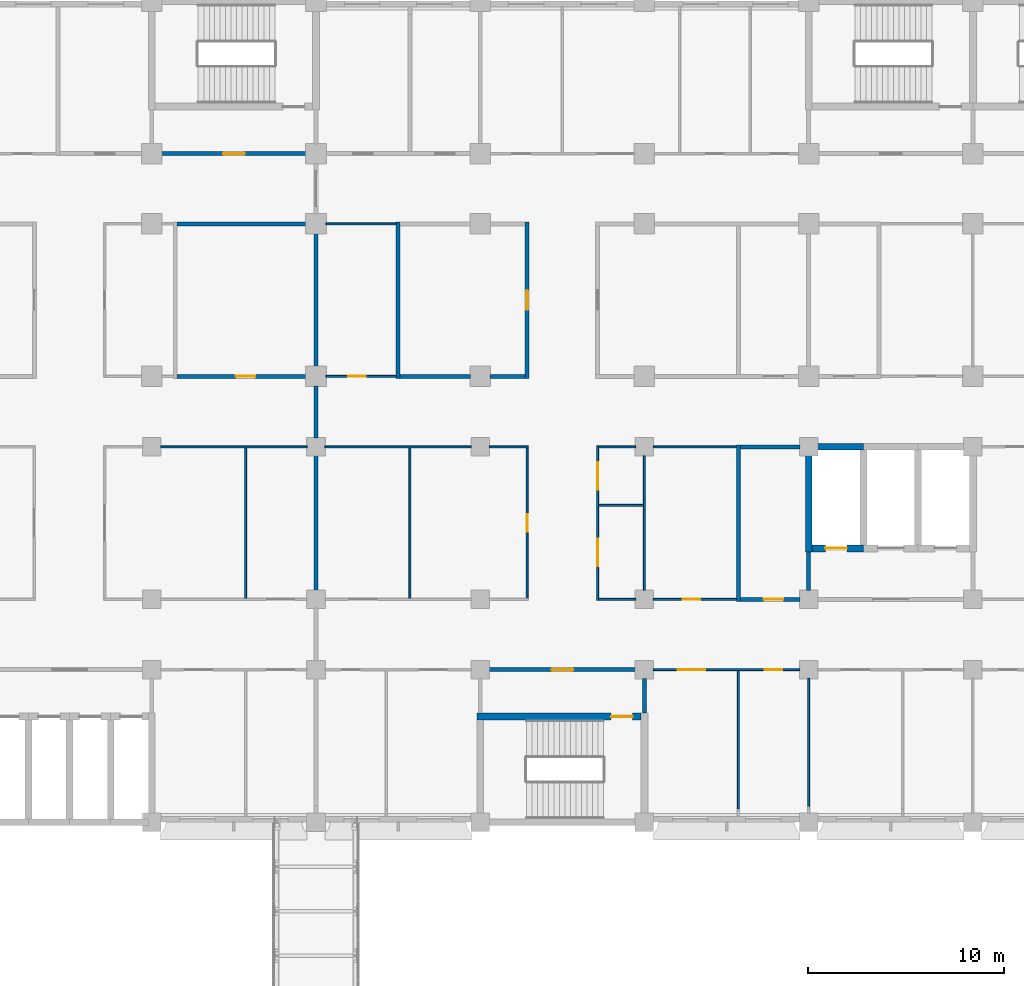
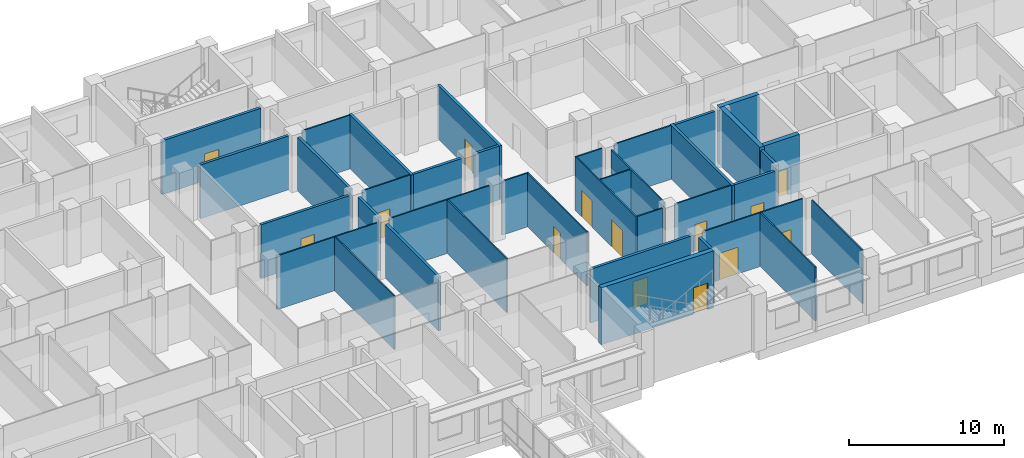
# One storey, part 74 of 136: 38 walls, 14 doors, 14 openings.
"""IFC4 building model written with IfcOpenShell, lengths in metres."""

from ifc_helpers import new_model, si_unit, direction, frame, frame_2d, origin, place, context, subcontext, project, spatial, rectangle, extrude, material, layer, layer_set, type_object, element, fill, save


model = new_model("IFC4")

# Units and contexts
model_context = context("Model", 3, precision=1e-05, world=origin(), true_north=direction((0.0, 1.0)))
body_context = subcontext(model_context, "Body", "Model", "MODEL_VIEW")
ifc_project = project(units=[si_unit("LENGTHUNIT", "METRE"), si_unit("AREAUNIT", "SQUARE_METRE"), si_unit("VOLUMEUNIT", "CUBIC_METRE"), si_unit("PLANEANGLEUNIT", "RADIAN"), si_unit("MASSUNIT", "GRAM", prefix="KILO")], contexts=[model_context])

# Site, building, storey
site_placement = place(None, origin())
site = spatial("IfcSite", under=ifc_project, at=site_placement, CompositionType="ELEMENT")
building_placement = place(site_placement, origin())
building = spatial("IfcBuilding", under=site, at=building_placement, Name="Bougainvillea Quay General Hospital", CompositionType="ELEMENT")
storey_placement = place(building_placement, frame((0.0, 0.0, 5.39990234375)))
storey = spatial("IfcBuildingStorey", under=building, at=storey_placement, Name="L01", CompositionType="ELEMENT", Elevation=5.39990234375)

# Wall, openings, doors
ifc_material_1 = material(Name="Gypsum board partition on steel studs", Category="steel")
ifc_layer_1 = layer(ifc_material_1, 0.10009765625)
ifc_layer_set_1 = layer_set([ifc_layer_1], Name="Gypsum board partition on steel studs")
wall_type_1 = type_object("IfcWallType", Name="Partition 100 Gypsum board partition", PredefinedType="PARTITIONING", material=ifc_layer_set_1)
wall_1_placement = place(storey_placement, frame((133.949951171875, 125.39990234375, 0.0), z_axis=(0.0, 0.0, 1.0), x_axis=(-1.0, 0.0, 0.0)))
wall_1 = element("IfcWall", 1, at=wall_1_placement, inside=storey, type_object=wall_type_1, Name="Partition 100 mm", PredefinedType="PARTITIONING", context=body_context, shape_type="SweptSolid", body=[
    extrude(rectangle(XDim=7.5, YDim=0.10009765625, at=frame_2d((3.75, 0.0))), origin(), (0.0, 0.0, 1.0), 4.25),
])
opening_1_placement = place(wall_1_placement, frame((4.85009765625, 0.0, 0.0)))
opening_1 = element("IfcOpeningElement", 2, at=opening_1_placement, cuts=wall_1, Name="Opening L01.157", PredefinedType="OPENING", context=body_context, shape_type="SweptSolid", body=[
    extrude(rectangle(XDim=1.39990234375, YDim=2.10009765625, at=frame_2d((0.699951171875, 1.050048828125))), frame((0.0, 0.06005859375, 0.0), z_axis=(0.0, -1.0, 0.0), x_axis=(1.0, 0.0, 0.0)), (0.0, 0.0, 1.0), 0.1201171875),
])
opening_2_placement = place(wall_1_placement, frame((0.89990234375, 0.0, 0.0)))
opening_2 = element("IfcOpeningElement", 3, at=opening_2_placement, cuts=wall_1, Name="Opening L01.158", PredefinedType="OPENING", context=body_context, shape_type="SweptSolid", body=[
    extrude(rectangle(XDim=0.89990234375, YDim=2.10009765625, at=frame_2d((0.449951171875, 1.050048828125))), frame((0.0, 0.06005859375, 0.0), z_axis=(0.0, -1.0, 0.0), x_axis=(1.0, 0.0, 0.0)), (0.0, 0.0, 1.0), 0.1201171875),
])
ifc_material_2 = material(Name="Solid-core timber door leaves in steel frame", Category="steel")
door_type_1 = type_object("IfcDoorType", Name="Bed door pair 1400x2100", OperationType="DOUBLE_DOOR_SINGLE_SWING", PredefinedType="DOOR", material=ifc_material_2)
door_1_placement = place(opening_1_placement, origin())
door_1 = element("IfcDoor", 4, at=door_1_placement, inside=storey, type_object=door_type_1, Name="DT09 L01.157", OperationType="DOUBLE_DOOR_SINGLE_SWING", OverallHeight=2.10009765625, OverallWidth=1.39990234375, PredefinedType="DOOR", context=body_context, shape_type="SweptSolid", body=[
    extrude(rectangle(XDim=1.39990234375, YDim=2.10009765625, at=frame_2d((0.699951171875, 1.050048828125))), frame((0.0, 0.02490234375, 0.0), z_axis=(0.0, -1.0, 0.0), x_axis=(1.0, 0.0, 0.0)), (0.0, 0.0, 1.0), 0.050048828125),
])
fill(opening_1, door_1)
ifc_material_3 = material(Name="Solid-core timber door leaf in steel frame", Category="steel")
door_type_2 = type_object("IfcDoorType", Name="Single leaf door 900x2100", OperationType="NOTDEFINED", PredefinedType="DOOR", material=ifc_material_3)
door_2_placement = place(opening_2_placement, origin())
door_2 = element("IfcDoor", 5, at=door_2_placement, inside=storey, type_object=door_type_2, Name="DT07 L01.158", OperationType="SINGLE_SWING_LEFT", OverallHeight=2.10009765625, OverallWidth=0.89990234375, PredefinedType="DOOR", context=body_context, shape_type="SweptSolid", body=[
    extrude(rectangle(XDim=0.89990234375, YDim=2.10009765625, at=frame_2d((0.449951171875, 1.050048828125))), frame((0.0, 0.02490234375, 0.0), z_axis=(0.0, -1.0, 0.0), x_axis=(1.0, 0.0, 0.0)), (0.0, 0.0, 1.0), 0.050048828125),
])
fill(opening_2, door_2)

# Walls
wall_2_placement = place(storey_placement, frame((120.050048828125, 136.800048828125, 0.0), z_axis=(0.0, 0.0, 1.0), x_axis=(-1.0, 0.0, 0.0)))
element("IfcWall", 6, at=wall_2_placement, inside=storey, type_object=wall_type_1, Name="Partition 100 mm", PredefinedType="PARTITIONING", context=body_context, shape_type="SweptSolid", body=[
    extrude(rectangle(XDim=2.0, YDim=0.10009765625, at=frame_2d((1.0, 0.0))), origin(), (0.0, 0.0, 1.0), 4.25),
])
for number, where, z_axis, x_axis, name in (
    (7, (117.14990234375, 136.800048828125, 0.0), (0.0, 0.0, 1.0), (-1.0, 0.0, 0.0), "Partition 100 mm"),
    (8, (108.75, 136.800048828125, 0.0), (0.0, 0.0, 1.0), (-1.0, 0.0, 0.0), "Partition 100 mm"),
):
    element("IfcWall", number, at=place(storey_placement, frame(where, z_axis=z_axis, x_axis=x_axis)), inside=storey, type_object=wall_type_1, Name=name, PredefinedType="PARTITIONING", context=body_context, shape_type="SweptSolid", body=[
        extrude(rectangle(XDim=7.5, YDim=0.10009765625, at=frame_2d((3.75, 0.0))), origin(), (0.0, 0.0, 1.0), 4.25),
    ])
wall_3_placement = place(storey_placement, frame((130.800048828125, 118.25, 0.0), z_axis=(0.0, 0.0, 1.0), x_axis=(0.0, 1.0, 0.0)))
element("IfcWall", 9, at=wall_3_placement, inside=storey, type_object=wall_type_1, Name="Partition 100 mm", PredefinedType="PARTITIONING", context=body_context, shape_type="SweptSolid", body=[
    extrude(rectangle(XDim=7.10009765625, YDim=0.10009765625, at=frame_2d((3.550048828125, 0.0))), origin(), (0.0, 0.0, 1.0), 4.25),
])
wall_4_placement = place(storey_placement, frame((134.39990234375, 118.39990234375, 0.0), z_axis=(0.0, 0.0, 1.0), x_axis=(0.0, 1.0, 0.0)))
element("IfcWall", 10, at=wall_4_placement, inside=storey, type_object=wall_type_1, Name="Partition 100 mm", PredefinedType="PARTITIONING", context=body_context, shape_type="SweptSolid", body=[
    extrude(rectangle(XDim=6.550048828125, YDim=0.10009765625, at=frame_2d((3.27490234375, 0.0))), origin(), (0.0, 0.0, 1.0), 4.25),
])
for number, where, z_axis, x_axis, name in (
    (11, (105.60009765625, 129.050048828125, 0.0), (0.0, 0.0, 1.0), (0.0, 1.0, 0.0), "Partition 100 mm"),
    (12, (114.0, 129.050048828125, 0.0), (0.0, 0.0, 1.0), (0.0, 1.0, 0.0), "Partition 100 mm"),
):
    element("IfcWall", number, at=place(storey_placement, frame(where, z_axis=z_axis, x_axis=x_axis)), inside=storey, type_object=wall_type_1, Name=name, PredefinedType="PARTITIONING", context=body_context, shape_type="SweptSolid", body=[
        extrude(rectangle(XDim=7.699951171875, YDim=0.10009765625, at=frame_2d((3.85009765625, 0.0))), origin(), (0.0, 0.0, 1.0), 4.25),
    ])

# Wall, opening, door
wall_5_placement = place(storey_placement, frame((120.0, 129.050048828125, 0.0), z_axis=(0.0, 0.0, 1.0), x_axis=(0.0, 1.0, 0.0)))
wall_5 = element("IfcWall", 13, at=wall_5_placement, inside=storey, type_object=wall_type_1, Name="Partition 100 mm", PredefinedType="PARTITIONING", context=body_context, shape_type="SweptSolid", body=[
    extrude(rectangle(XDim=7.699951171875, YDim=0.10009765625, at=frame_2d((3.85009765625, 0.0))), origin(), (0.0, 0.0, 1.0), 4.25),
])
opening_3_placement = place(wall_5_placement, frame((3.39990234375, 0.0, 0.0)))
opening_3 = element("IfcOpeningElement", 14, at=opening_3_placement, cuts=wall_5, Name="Opening L01.154", PredefinedType="OPENING", context=body_context, shape_type="SweptSolid", body=[
    extrude(rectangle(XDim=0.89990234375, YDim=2.10009765625, at=frame_2d((0.449951171875, 1.050048828125))), frame((0.0, 0.06005859375, 0.0), z_axis=(0.0, -1.0, 0.0), x_axis=(1.0, 0.0, 0.0)), (0.0, 0.0, 1.0), 0.1201171875),
])
door_3_placement = place(opening_3_placement, origin())
door_3 = element("IfcDoor", 15, at=door_3_placement, inside=storey, type_object=door_type_2, Name="DT07 L01.154", OperationType="SINGLE_SWING_LEFT", OverallHeight=2.10009765625, OverallWidth=0.89990234375, PredefinedType="DOOR", context=body_context, shape_type="SweptSolid", body=[
    extrude(rectangle(XDim=0.89990234375, YDim=2.10009765625, at=frame_2d((0.449951171875, 1.050048828125))), frame((0.0, 0.02490234375, 0.0), z_axis=(0.0, -1.0, 0.0), x_axis=(1.0, 0.0, 0.0)), (0.0, 0.0, 1.0), 0.050048828125),
])
fill(opening_3, door_3)

# Wall, openings, doors
wall_6_placement = place(storey_placement, frame((123.60009765625, 128.949951171875, 0.0), z_axis=(0.0, 0.0, 1.0), x_axis=(0.0, 1.0, 0.0)))
wall_6 = element("IfcWall", 16, at=wall_6_placement, inside=storey, type_object=wall_type_1, Name="Partition 100 mm", PredefinedType="PARTITIONING", context=body_context, shape_type="SweptSolid", body=[
    extrude(rectangle(XDim=7.900146484375, YDim=0.10009765625, at=frame_2d((3.9501953125, 0.0))), origin(), (0.0, 0.0, 1.0), 4.25),
])
opening_4_placement = place(wall_6_placement, frame((1.75, 0.0, 0.0)))
opening_4 = element("IfcOpeningElement", 17, at=opening_4_placement, cuts=wall_6, Name="Opening L01.155", PredefinedType="OPENING", context=body_context, shape_type="SweptSolid", body=[
    extrude(rectangle(XDim=1.39990234375, YDim=2.10009765625, at=frame_2d((0.699951171875, 1.050048828125))), frame((0.0, 0.06005859375, 0.0), z_axis=(0.0, -1.0, 0.0), x_axis=(1.0, 0.0, 0.0)), (0.0, 0.0, 1.0), 0.1201171875),
])
opening_5_placement = place(wall_6_placement, frame((5.64990234375, 0.0, 0.0)))
opening_5 = element("IfcOpeningElement", 18, at=opening_5_placement, cuts=wall_6, Name="Opening L01.156", PredefinedType="OPENING", context=body_context, shape_type="SweptSolid", body=[
    extrude(rectangle(XDim=1.39990234375, YDim=2.10009765625, at=frame_2d((0.699951171875, 1.050048828125))), frame((0.0, 0.06005859375, 0.0), z_axis=(0.0, -1.0, 0.0), x_axis=(1.0, 0.0, 0.0)), (0.0, 0.0, 1.0), 0.1201171875),
])
door_4_placement = place(opening_4_placement, frame((1.39990234375, 0.0, 0.0), z_axis=(0.0, 0.0, 1.0), x_axis=(-1.0, 0.0, 0.0)))
door_4 = element("IfcDoor", 19, at=door_4_placement, inside=storey, type_object=door_type_1, Name="DT09 L01.155", OperationType="DOUBLE_DOOR_SINGLE_SWING", OverallHeight=2.10009765625, OverallWidth=1.39990234375, PredefinedType="DOOR", context=body_context, shape_type="SweptSolid", body=[
    extrude(rectangle(XDim=1.39990234375, YDim=2.10009765625, at=frame_2d((0.699951171875, 1.050048828125))), frame((0.0, 0.02490234375, 0.0), z_axis=(0.0, -1.0, 0.0), x_axis=(1.0, 0.0, 0.0)), (0.0, 0.0, 1.0), 0.050048828125),
])
fill(opening_4, door_4)
door_5_placement = place(opening_5_placement, frame((1.39990234375, 0.0, 0.0), z_axis=(0.0, 0.0, 1.0), x_axis=(-1.0, 0.0, 0.0)))
door_5 = element("IfcDoor", 20, at=door_5_placement, inside=storey, type_object=door_type_1, Name="DT09 L01.156", OperationType="DOUBLE_DOOR_SINGLE_SWING", OverallHeight=2.10009765625, OverallWidth=1.39990234375, PredefinedType="DOOR", context=body_context, shape_type="SweptSolid", body=[
    extrude(rectangle(XDim=1.39990234375, YDim=2.10009765625, at=frame_2d((0.699951171875, 1.050048828125))), frame((0.0, 0.02490234375, 0.0), z_axis=(0.0, -1.0, 0.0), x_axis=(1.0, 0.0, 0.0)), (0.0, 0.0, 1.0), 0.050048828125),
])
fill(opening_5, door_5)

# Wall
wall_7_placement = place(storey_placement, frame((123.64990234375, 129.0, 0.0), z_axis=(0.0, 0.0, 1.0), x_axis=(1.0, 0.0, 0.0)))
element("IfcWall", 21, at=wall_7_placement, inside=storey, type_object=wall_type_1, Name="Partition 100 mm", PredefinedType="PARTITIONING", context=body_context, shape_type="SweptSolid", body=[
    extrude(rectangle(XDim=1.900146484375, YDim=0.10009765625, at=frame_2d((0.9501953125, 0.0))), origin(), (0.0, 0.0, 1.0), 4.25),
])

# Wall, opening, door
wall_8_placement = place(storey_placement, frame((126.449951171875, 129.0, 0.0), z_axis=(0.0, 0.0, 1.0), x_axis=(1.0, 0.0, 0.0)))
wall_8 = element("IfcWall", 22, at=wall_8_placement, inside=storey, type_object=wall_type_1, Name="Partition 100 mm", PredefinedType="PARTITIONING", context=body_context, shape_type="SweptSolid", body=[
    extrude(rectangle(XDim=4.25, YDim=0.10009765625, at=frame_2d((2.125, 0.0))), origin(), (0.0, 0.0, 1.0), 4.25),
])
opening_6_placement = place(wall_8_placement, frame((1.5, 0.0, 0.0)))
opening_6 = element("IfcOpeningElement", 23, at=opening_6_placement, cuts=wall_8, Name="Opening L01.163", PredefinedType="OPENING", context=body_context, shape_type="SweptSolid", body=[
    extrude(rectangle(XDim=0.89990234375, YDim=2.10009765625, at=frame_2d((0.449951171875, 1.050048828125))), frame((0.0, 0.06005859375, 0.0), z_axis=(0.0, -1.0, 0.0), x_axis=(1.0, 0.0, 0.0)), (0.0, 0.0, 1.0), 0.1201171875),
])
door_6_placement = place(opening_6_placement, origin())
door_6 = element("IfcDoor", 24, at=door_6_placement, inside=storey, type_object=door_type_2, Name="DT07 L01.163", OperationType="SINGLE_SWING_LEFT", OverallHeight=2.10009765625, OverallWidth=0.89990234375, PredefinedType="DOOR", context=body_context, shape_type="SweptSolid", body=[
    extrude(rectangle(XDim=0.89990234375, YDim=2.10009765625, at=frame_2d((0.449951171875, 1.050048828125))), frame((0.0, 0.02490234375, 0.0), z_axis=(0.0, -1.0, 0.0), x_axis=(1.0, 0.0, 0.0)), (0.0, 0.0, 1.0), 0.050048828125),
])
fill(opening_6, door_6)

# Walls
wall_9_placement = place(storey_placement, frame((123.64990234375, 136.800048828125, 0.0), z_axis=(0.0, 0.0, 1.0), x_axis=(1.0, 0.0, 0.0)))
element("IfcWall", 25, at=wall_9_placement, inside=storey, type_object=wall_type_1, Name="Partition 100 mm", PredefinedType="PARTITIONING", context=body_context, shape_type="SweptSolid", body=[
    extrude(rectangle(XDim=1.900146484375, YDim=0.10009765625, at=frame_2d((0.9501953125, 0.0))), origin(), (0.0, 0.0, 1.0), 4.25),
])
wall_10_placement = place(storey_placement, frame((126.449951171875, 136.800048828125, 0.0), z_axis=(0.0, 0.0, 1.0), x_axis=(1.0, 0.0, 0.0)))
element("IfcWall", 26, at=wall_10_placement, inside=storey, type_object=wall_type_1, Name="Partition 100 mm", PredefinedType="PARTITIONING", context=body_context, shape_type="SweptSolid", body=[
    extrude(rectangle(XDim=4.25, YDim=0.10009765625, at=frame_2d((2.125, 0.0))), origin(), (0.0, 0.0, 1.0), 4.25),
])
wall_11_placement = place(storey_placement, frame((126.0, 129.449951171875, 0.0), z_axis=(0.0, 0.0, 1.0), x_axis=(0.0, 1.0, 0.0)))
element("IfcWall", 27, at=wall_11_placement, inside=storey, type_object=wall_type_1, Name="Partition 100 mm", PredefinedType="PARTITIONING", context=body_context, shape_type="SweptSolid", body=[
    extrude(rectangle(XDim=6.900146484375, YDim=0.10009765625, at=frame_2d((3.4501953125, 0.0))), origin(), (0.0, 0.0, 1.0), 4.25),
])

# Wall, opening, door
wall_12_placement = place(storey_placement, frame((109.699951171875, 140.39990234375, 0.0), z_axis=(0.0, 0.0, 1.0), x_axis=(1.0, 0.0, 0.0)))
wall_12 = element("IfcWall", 28, at=wall_12_placement, inside=storey, type_object=wall_type_1, Name="Partition 100 mm", PredefinedType="PARTITIONING", context=body_context, shape_type="SweptSolid", body=[
    extrude(rectangle(XDim=3.60009765625, YDim=0.10009765625, at=frame_2d((1.800048828125, 0.0))), origin(), (0.0, 0.0, 1.0), 4.25),
])
opening_7_placement = place(wall_12_placement, frame((1.14990234375, 0.0, 0.0)))
opening_7 = element("IfcOpeningElement", 29, at=opening_7_placement, cuts=wall_12, Name="Opening L01.197", PredefinedType="OPENING", context=body_context, shape_type="SweptSolid", body=[
    extrude(rectangle(XDim=0.89990234375, YDim=2.10009765625, at=frame_2d((0.449951171875, 1.050048828125))), frame((0.0, 0.06005859375, 0.0), z_axis=(0.0, -1.0, 0.0), x_axis=(1.0, 0.0, 0.0)), (0.0, 0.0, 1.0), 0.1201171875),
])
door_7_placement = place(opening_7_placement, origin())
door_7 = element("IfcDoor", 30, at=door_7_placement, inside=storey, type_object=door_type_2, Name="DT07 L01.197", OperationType="SINGLE_SWING_LEFT", OverallHeight=2.10009765625, OverallWidth=0.89990234375, PredefinedType="DOOR", context=body_context, shape_type="SweptSolid", body=[
    extrude(rectangle(XDim=0.89990234375, YDim=2.10009765625, at=frame_2d((0.449951171875, 1.050048828125))), frame((0.0, 0.02490234375, 0.0), z_axis=(0.0, -1.0, 0.0), x_axis=(1.0, 0.0, 0.0)), (0.0, 0.0, 1.0), 0.050048828125),
])
fill(opening_7, door_7)

# Walls
wall_13_placement = place(storey_placement, frame((109.699951171875, 148.199951171875, 0.0), z_axis=(0.0, 0.0, 1.0), x_axis=(1.0, 0.0, 0.0)))
element("IfcWall", 31, at=wall_13_placement, inside=storey, type_object=wall_type_1, Name="Partition 100 mm", PredefinedType="PARTITIONING", context=body_context, shape_type="SweptSolid", body=[
    extrude(rectangle(XDim=3.60009765625, YDim=0.10009765625, at=frame_2d((1.800048828125, 0.0))), origin(), (0.0, 0.0, 1.0), 4.25),
])
wall_14_placement = place(storey_placement, frame((123.64990234375, 133.800048828125, 0.0), z_axis=(0.0, 0.0, 1.0), x_axis=(1.0, 0.0, 0.0)))
element("IfcWall", 32, at=wall_14_placement, inside=storey, type_object=wall_type_1, Name="Partition 100 mm", PredefinedType="PARTITIONING", context=body_context, shape_type="SweptSolid", body=[
    extrude(rectangle(XDim=2.300048828125, YDim=0.10009765625, at=frame_2d((1.14990234375, 0.0))), origin(), (0.0, 0.0, 1.0), 4.25),
])
ifc_material_4 = material(Name="Fire-rated autoclaved aerated block wall, plastered")
ifc_layer_2 = layer(ifc_material_4, 0.199951171875)
ifc_layer_set_2 = layer_set([ifc_layer_2], Name="Fire-rated autoclaved aerated block wall, plastered")
wall_type_2 = type_object("IfcWallType", Name="Partition 200 Fire-rated autoclaved aerated block wall EI 120", PredefinedType="SOLIDWALL", material=ifc_layer_set_2)
wall_15_placement = place(storey_placement, frame((109.199951171875, 147.699951171875, 0.0), z_axis=(0.0, 0.0, 1.0), x_axis=(0.0, -1.0, 0.0)))
element("IfcWall", 33, at=wall_15_placement, inside=storey, type_object=wall_type_2, Name="Partition 200 mm EI 120", PredefinedType="SOLIDWALL", context=body_context, shape_type="SweptSolid", body=[
    extrude(rectangle(XDim=6.800048828125, YDim=0.199951171875, at=frame_2d((3.39990234375, 0.0))), origin(), (0.0, 0.0, 1.0), 4.25),
])
wall_16_placement = place(storey_placement, frame((109.199951171875, 139.89990234375, 0.0), z_axis=(0.0, 0.0, 1.0), x_axis=(0.0, -1.0, 0.0)))
element("IfcWall", 34, at=wall_16_placement, inside=storey, type_object=wall_type_2, Name="Partition 200 mm EI 120", PredefinedType="SOLIDWALL", context=body_context, shape_type="SweptSolid", body=[
    extrude(rectangle(XDim=2.64990234375, YDim=0.199951171875, at=frame_2d((1.324951171875, 0.0))), origin(), (0.0, 0.0, 1.0), 4.25),
])
wall_17_placement = place(storey_placement, frame((109.199951171875, 136.35009765625, 0.0), z_axis=(0.0, 0.0, 1.0), x_axis=(0.0, -1.0, 0.0)))
element("IfcWall", 35, at=wall_17_placement, inside=storey, type_object=wall_type_2, Name="Partition 200 mm EI 120", PredefinedType="SOLIDWALL", context=body_context, shape_type="SweptSolid", body=[
    extrude(rectangle(XDim=6.900146484375, YDim=0.199951171875, at=frame_2d((3.4501953125, 0.0))), origin(), (0.0, 0.0, 1.0), 4.25),
])

# Wall, opening, door
wall_18_placement = place(storey_placement, frame((101.300048828125, 151.800048828125, 0.0), z_axis=(0.0, 0.0, 1.0), x_axis=(1.0, 0.0, 0.0)))
wall_18 = element("IfcWall", 36, at=wall_18_placement, inside=storey, type_object=wall_type_2, Name="Partition 200 mm EI 120", PredefinedType="SOLIDWALL", context=body_context, shape_type="SweptSolid", body=[
    extrude(rectangle(XDim=7.39990234375, YDim=0.199951171875, at=frame_2d((3.699951171875, 0.0))), origin(), (0.0, 0.0, 1.0), 4.25),
])
opening_8_placement = place(wall_18_placement, frame((3.14990234375, 0.0, 0.0)))
opening_8 = element("IfcOpeningElement", 37, at=opening_8_placement, cuts=wall_18, Name="Opening L01.044", PredefinedType="OPENING", context=body_context, shape_type="SweptSolid", body=[
    extrude(rectangle(XDim=1.10009765625, YDim=2.10009765625, at=frame_2d((0.550048828125, 1.050048828125))), frame((0.0, 0.10986328125, 0.0), z_axis=(0.0, -1.0, 0.0), x_axis=(1.0, 0.0, 0.0)), (0.0, 0.0, 1.0), 0.219970703125),
])
ifc_material_5 = material(Name="Steel fire door leaf in steel frame", Category="steel")
door_type_3 = type_object("IfcDoorType", Name="Steel single leaf door 1100x2100 FD60", OperationType="NOTDEFINED", PredefinedType="DOOR", material=ifc_material_5)
door_8_placement = place(opening_8_placement, origin())
door_8 = element("IfcDoor", 38, at=door_8_placement, inside=storey, type_object=door_type_3, Name="DT04 L01.044", OperationType="SINGLE_SWING_RIGHT", OverallHeight=2.10009765625, OverallWidth=1.10009765625, PredefinedType="DOOR", context=body_context, shape_type="SweptSolid", body=[
    extrude(rectangle(XDim=1.10009765625, YDim=2.10009765625, at=frame_2d((0.550048828125, 1.050048828125))), frame((0.0, 0.02490234375, 0.0), z_axis=(0.0, -1.0, 0.0), x_axis=(1.0, 0.0, 0.0)), (0.0, 0.0, 1.0), 0.050048828125),
])
fill(opening_8, door_8)

wall_19_placement = place(storey_placement, frame((118.050048828125, 125.39990234375, 0.0), z_axis=(0.0, 0.0, 1.0), x_axis=(1.0, 0.0, 0.0)))
wall_19 = element("IfcWall", 39, at=wall_19_placement, inside=storey, type_object=wall_type_2, Name="Partition 200 mm EI 120", PredefinedType="SOLIDWALL", context=body_context, shape_type="SweptSolid", body=[
    extrude(rectangle(XDim=7.5, YDim=0.199951171875, at=frame_2d((3.75, 0.0))), origin(), (0.0, 0.0, 1.0), 4.25),
])
opening_9_placement = place(wall_19_placement, frame((3.199951171875, 0.0, 0.0)))
opening_9 = element("IfcOpeningElement", 40, at=opening_9_placement, cuts=wall_19, Name="Opening L01.041", PredefinedType="OPENING", context=body_context, shape_type="SweptSolid", body=[
    extrude(rectangle(XDim=1.10009765625, YDim=2.10009765625, at=frame_2d((0.550048828125, 1.050048828125))), frame((0.0, 0.10986328125, 0.0), z_axis=(0.0, -1.0, 0.0), x_axis=(1.0, 0.0, 0.0)), (0.0, 0.0, 1.0), 0.219970703125),
])
door_9_placement = place(opening_9_placement, frame((1.10009765625, 0.0, 0.0), z_axis=(0.0, 0.0, 1.0), x_axis=(-1.0, 0.0, 0.0)))
door_9 = element("IfcDoor", 41, at=door_9_placement, inside=storey, type_object=door_type_3, Name="DT04 L01.041", OperationType="SINGLE_SWING_LEFT", OverallHeight=2.10009765625, OverallWidth=1.10009765625, PredefinedType="DOOR", context=body_context, shape_type="SweptSolid", body=[
    extrude(rectangle(XDim=1.10009765625, YDim=2.10009765625, at=frame_2d((0.550048828125, 1.050048828125))), frame((0.0, 0.02490234375, 0.0), z_axis=(0.0, -1.0, 0.0), x_axis=(1.0, 0.0, 0.0)), (0.0, 0.0, 1.0), 0.050048828125),
])
fill(opening_9, door_9)

# Walls
wall_20_placement = place(storey_placement, frame((134.39990234375, 129.449951171875, 0.0), z_axis=(0.0, 0.0, 1.0), x_axis=(0.0, 1.0, 0.0)))
element("IfcWall", 42, at=wall_20_placement, inside=storey, type_object=wall_type_2, Name="Partition 200 mm EI 120", PredefinedType="SOLIDWALL", context=body_context, shape_type="SweptSolid", body=[
    extrude(rectangle(XDim=1.97509765625, YDim=0.199951171875, at=frame_2d((0.987548828125, 0.0))), origin(), (0.0, 0.0, 1.0), 4.25),
])
wall_21_placement = place(storey_placement, frame((126.0, 123.175048828125, 0.0), z_axis=(0.0, 0.0, 1.0), x_axis=(0.0, 1.0, 0.0)))
element("IfcWall", 43, at=wall_21_placement, inside=storey, type_object=wall_type_2, Name="Partition 200 mm EI 120", PredefinedType="SOLIDWALL", context=body_context, shape_type="SweptSolid", body=[
    extrude(rectangle(XDim=1.77490234375, YDim=0.199951171875, at=frame_2d((0.887451171875, 0.0))), origin(), (0.0, 0.0, 1.0), 4.25),
])
ifc_layer_3 = layer(ifc_material_4, 0.199951171875)
ifc_layer_set_3 = layer_set([ifc_layer_3], Name="Fire-rated autoclaved aerated block wall, plastered")
wall_type_3 = type_object("IfcWallType", Name="Partition 200 Fire-rated autoclaved aerated block wall EI 60", PredefinedType="SOLIDWALL", material=ifc_layer_set_3)
for number, where, z_axis, x_axis, name in (
    (44, (130.800048828125, 128.89990234375, 0.0), (0.0, 0.0, 1.0), (0.0, 1.0, 0.0), "Partition 200 mm EI 60"),
    (45, (113.39990234375, 140.300048828125, 0.0), (0.0, 0.0, 1.0), (0.0, 1.0, 0.0), "Partition 200 mm EI 60"),
):
    element("IfcWall", number, at=place(storey_placement, frame(where, z_axis=z_axis, x_axis=x_axis)), inside=storey, type_object=wall_type_3, Name=name, PredefinedType="SOLIDWALL", context=body_context, shape_type="SweptSolid", body=[
        extrude(rectangle(XDim=8.0, YDim=0.199951171875, at=frame_2d((4.0, 0.0))), origin(), (0.0, 0.0, 1.0), 4.25),
    ])

# Wall, opening, door
wall_22_placement = place(storey_placement, frame((120.0, 140.300048828125, 0.0), z_axis=(0.0, 0.0, 1.0), x_axis=(0.0, 1.0, 0.0)))
wall_22 = element("IfcWall", 46, at=wall_22_placement, inside=storey, type_object=wall_type_3, Name="Partition 200 mm EI 60", PredefinedType="SOLIDWALL", context=body_context, shape_type="SweptSolid", body=[
    extrude(rectangle(XDim=8.0, YDim=0.199951171875, at=frame_2d((4.0, 0.0))), origin(), (0.0, 0.0, 1.0), 4.25),
])
opening_10_placement = place(wall_22_placement, frame((3.5, 0.0, 0.0)))
opening_10 = element("IfcOpeningElement", 47, at=opening_10_placement, cuts=wall_22, Name="Opening L01.198", PredefinedType="OPENING", context=body_context, shape_type="SweptSolid", body=[
    extrude(rectangle(XDim=1.0, YDim=2.10009765625, at=frame_2d((0.5, 1.050048828125))), frame((0.0, 0.10986328125, 0.0), z_axis=(0.0, -1.0, 0.0), x_axis=(1.0, 0.0, 0.0)), (0.0, 0.0, 1.0), 0.219970703125),
])
door_type_4 = type_object("IfcDoorType", Name="Steel single leaf door 1000x2100 FD60", OperationType="NOTDEFINED", PredefinedType="DOOR", material=ifc_material_5)
door_10_placement = place(opening_10_placement, origin())
door_10 = element("IfcDoor", 48, at=door_10_placement, inside=storey, type_object=door_type_4, Name="DT10 L01.198", OperationType="SINGLE_SWING_LEFT", OverallHeight=2.10009765625, OverallWidth=1.0, PredefinedType="DOOR", context=body_context, shape_type="SweptSolid", body=[
    extrude(rectangle(XDim=1.0, YDim=2.10009765625, at=frame_2d((0.5, 1.050048828125))), frame((0.0, 0.02490234375, 0.0), z_axis=(0.0, -1.0, 0.0), x_axis=(1.0, 0.0, 0.0)), (0.0, 0.0, 1.0), 0.050048828125),
])
fill(opening_10, door_10)

wall_23_placement = place(storey_placement, frame((102.10009765625, 140.39990234375, 0.0), z_axis=(0.0, 0.0, 1.0), x_axis=(1.0, 0.0, 0.0)))
wall_23 = element("IfcWall", 49, at=wall_23_placement, inside=storey, type_object=wall_type_3, Name="Partition 200 mm EI 60", PredefinedType="SOLIDWALL", context=body_context, shape_type="SweptSolid", body=[
    extrude(rectangle(XDim=6.599853515625, YDim=0.199951171875, at=frame_2d((3.2998046875, 0.0))), origin(), (0.0, 0.0, 1.0), 4.25),
])
opening_11_placement = place(wall_23_placement, frame((3.0, 0.0, 0.0)))
opening_11 = element("IfcOpeningElement", 50, at=opening_11_placement, cuts=wall_23, Name="Opening L01.196", PredefinedType="OPENING", context=body_context, shape_type="SweptSolid", body=[
    extrude(rectangle(XDim=1.0, YDim=2.10009765625, at=frame_2d((0.5, 1.050048828125))), frame((0.0, 0.10986328125, 0.0), z_axis=(0.0, -1.0, 0.0), x_axis=(1.0, 0.0, 0.0)), (0.0, 0.0, 1.0), 0.219970703125),
])
door_11_placement = place(opening_11_placement, origin())
door_11 = element("IfcDoor", 51, at=door_11_placement, inside=storey, type_object=door_type_4, Name="DT10 L01.196", OperationType="SINGLE_SWING_RIGHT", OverallHeight=2.10009765625, OverallWidth=1.0, PredefinedType="DOOR", context=body_context, shape_type="SweptSolid", body=[
    extrude(rectangle(XDim=1.0, YDim=2.10009765625, at=frame_2d((0.5, 1.050048828125))), frame((0.0, 0.02490234375, 0.0), z_axis=(0.0, -1.0, 0.0), x_axis=(1.0, 0.0, 0.0)), (0.0, 0.0, 1.0), 0.050048828125),
])
fill(opening_11, door_11)

# Walls
wall_24_placement = place(storey_placement, frame((102.10009765625, 148.199951171875, 0.0), z_axis=(0.0, 0.0, 1.0), x_axis=(1.0, 0.0, 0.0)))
element("IfcWall", 52, at=wall_24_placement, inside=storey, type_object=wall_type_3, Name="Partition 200 mm EI 60", PredefinedType="SOLIDWALL", context=body_context, shape_type="SweptSolid", body=[
    extrude(rectangle(XDim=6.599853515625, YDim=0.199951171875, at=frame_2d((3.2998046875, 0.0))), origin(), (0.0, 0.0, 1.0), 4.25),
])
wall_25_placement = place(storey_placement, frame((113.5, 140.39990234375, 0.0), z_axis=(0.0, 0.0, 1.0), x_axis=(1.0, 0.0, 0.0)))
element("IfcWall", 53, at=wall_25_placement, inside=storey, type_object=wall_type_3, Name="Partition 200 mm EI 60", PredefinedType="SOLIDWALL", context=body_context, shape_type="SweptSolid", body=[
    extrude(rectangle(XDim=3.60009765625, YDim=0.199951171875, at=frame_2d((1.800048828125, 0.0))), origin(), (0.0, 0.0, 1.0), 4.25),
])
wall_26_placement = place(storey_placement, frame((118.10009765625, 140.39990234375, 0.0), z_axis=(0.0, 0.0, 1.0), x_axis=(1.0, 0.0, 0.0)))
element("IfcWall", 54, at=wall_26_placement, inside=storey, type_object=wall_type_3, Name="Partition 200 mm EI 60", PredefinedType="SOLIDWALL", context=body_context, shape_type="SweptSolid", body=[
    extrude(rectangle(XDim=1.7998046875, YDim=0.199951171875, at=frame_2d((0.89990234375, 0.0))), origin(), (0.0, 0.0, 1.0), 4.25),
])

# Wall, opening, door
wall_27_placement = place(storey_placement, frame((130.89990234375, 129.0, 0.0), z_axis=(0.0, 0.0, 1.0), x_axis=(1.0, 0.0, 0.0)))
wall_27 = element("IfcWall", 55, at=wall_27_placement, inside=storey, type_object=wall_type_3, Name="Partition 200 mm EI 60", PredefinedType="SOLIDWALL", context=body_context, shape_type="SweptSolid", body=[
    extrude(rectangle(XDim=3.050048828125, YDim=0.199951171875, at=frame_2d((1.52490234375, 0.0))), origin(), (0.0, 0.0, 1.0), 4.25),
])
opening_12_placement = place(wall_27_placement, frame((1.199951171875, 0.0, 0.0)))
opening_12 = element("IfcOpeningElement", 56, at=opening_12_placement, cuts=wall_27, Name="Opening L01.164", PredefinedType="OPENING", context=body_context, shape_type="SweptSolid", body=[
    extrude(rectangle(XDim=1.0, YDim=2.10009765625, at=frame_2d((0.5, 1.050048828125))), frame((0.0, 0.10986328125, 0.0), z_axis=(0.0, -1.0, 0.0), x_axis=(1.0, 0.0, 0.0)), (0.0, 0.0, 1.0), 0.219970703125),
])
door_12_placement = place(opening_12_placement, origin())
door_12 = element("IfcDoor", 57, at=door_12_placement, inside=storey, type_object=door_type_4, Name="DT10 L01.164", OperationType="SINGLE_SWING_RIGHT", OverallHeight=2.10009765625, OverallWidth=1.0, PredefinedType="DOOR", context=body_context, shape_type="SweptSolid", body=[
    extrude(rectangle(XDim=1.0, YDim=2.10009765625, at=frame_2d((0.5, 1.050048828125))), frame((0.0, 0.02490234375, 0.0), z_axis=(0.0, -1.0, 0.0), x_axis=(1.0, 0.0, 0.0)), (0.0, 0.0, 1.0), 0.050048828125),
])
fill(opening_12, door_12)

# Wall
wall_28_placement = place(storey_placement, frame((130.89990234375, 136.800048828125, 0.0), z_axis=(0.0, 0.0, 1.0), x_axis=(1.0, 0.0, 0.0)))
element("IfcWall", 58, at=wall_28_placement, inside=storey, type_object=wall_type_3, Name="Partition 200 mm EI 60", PredefinedType="SOLIDWALL", context=body_context, shape_type="SweptSolid", body=[
    extrude(rectangle(XDim=3.050048828125, YDim=0.199951171875, at=frame_2d((1.52490234375, 0.0))), origin(), (0.0, 0.0, 1.0), 4.25),
])

# Wall, opening, door
ifc_material_6 = material(Name="Concrete C40", Category="concrete")
ifc_layer_4 = layer(ifc_material_6, 0.35009765625)
ifc_layer_set_4 = layer_set([ifc_layer_4], Name="Concrete C40")
wall_type_4 = type_object("IfcWallType", Name="RC SHEAR WALL 350 C40", PredefinedType="SHEAR", material=ifc_layer_set_4)
wall_29_placement = place(storey_placement, frame((117.425048828125, 123.0, 0.0), z_axis=(0.0, 0.0, 1.0), x_axis=(1.0, 0.0, 0.0)))
wall_29 = element("IfcWall", 59, at=wall_29_placement, inside=storey, type_object=wall_type_4, Name="Shear wall L01", PredefinedType="SHEAR", context=body_context, shape_type="SweptSolid", body=[
    extrude(rectangle(XDim=8.39990234375, YDim=0.35009765625, at=frame_2d((4.199951171875, 0.0))), origin(), (0.0, 0.0, 1.0), 4.5),
])
opening_13_placement = place(wall_29_placement, frame((6.875, 0.0, 0.0)))
opening_13 = element("IfcOpeningElement", 60, at=opening_13_placement, cuts=wall_29, Name="Opening L01.025", PredefinedType="OPENING", context=body_context, shape_type="SweptSolid", body=[
    extrude(rectangle(XDim=1.10009765625, YDim=2.10009765625, at=frame_2d((0.550048828125, 1.050048828125))), frame((0.0, 0.18505859375, 0.0), z_axis=(0.0, -1.0, 0.0), x_axis=(1.0, 0.0, 0.0)), (0.0, 0.0, 1.0), 0.3701171875),
])
door_13_placement = place(opening_13_placement, frame((1.10009765625, 0.0, 0.0), z_axis=(0.0, 0.0, 1.0), x_axis=(-1.0, 0.0, 0.0)))
door_13 = element("IfcDoor", 61, at=door_13_placement, inside=storey, type_object=door_type_3, Name="DT04 L01.025", OperationType="SINGLE_SWING_LEFT", OverallHeight=2.10009765625, OverallWidth=1.10009765625, PredefinedType="DOOR", context=body_context, shape_type="SweptSolid", body=[
    extrude(rectangle(XDim=1.10009765625, YDim=2.10009765625, at=frame_2d((0.550048828125, 1.050048828125))), frame((0.0, 0.02490234375, 0.0), z_axis=(0.0, -1.0, 0.0), x_axis=(1.0, 0.0, 0.0)), (0.0, 0.0, 1.0), 0.050048828125),
])
fill(opening_13, door_13)

# Walls
wall_30_placement = place(storey_placement, frame((134.22509765625, 136.800048828125, 0.0), z_axis=(0.0, 0.0, 1.0), x_axis=(1.0, 0.0, 0.0)))
element("IfcWall", 62, at=wall_30_placement, inside=storey, type_object=wall_type_4, Name="Shear wall L01", PredefinedType="SHEAR", context=body_context, shape_type="SweptSolid", body=[
    extrude(rectangle(XDim=2.974853515625, YDim=0.35009765625, at=frame_2d((1.4873046875, 0.0))), origin(), (0.0, 0.0, 1.0), 4.5),
])
wall_31_placement = place(storey_placement, frame((134.39990234375, 131.425048828125, 0.0), z_axis=(0.0, 0.0, 1.0), x_axis=(0.0, 1.0, 0.0)))
element("IfcWall", 63, at=wall_31_placement, inside=storey, type_object=wall_type_4, Name="Shear wall L01", PredefinedType="SHEAR", context=body_context, shape_type="SweptSolid", body=[
    extrude(rectangle(XDim=5.199951171875, YDim=0.35009765625, at=frame_2d((2.60009765625, 0.0))), origin(), (0.0, 0.0, 1.0), 4.5),
])

# Wall, opening, door
wall_32_placement = place(storey_placement, frame((134.574951171875, 131.60009765625, 0.0), z_axis=(0.0, 0.0, 1.0), x_axis=(1.0, 0.0, 0.0)))
wall_32 = element("IfcWall", 64, at=wall_32_placement, inside=storey, type_object=wall_type_4, Name="Shear wall L01", PredefinedType="SHEAR", context=body_context, shape_type="SweptSolid", body=[
    extrude(rectangle(XDim=2.625, YDim=0.35009765625, at=frame_2d((1.3125, 0.0))), origin(), (0.0, 0.0, 1.0), 4.5),
])
opening_14_placement = place(wall_32_placement, frame((0.675048828125, 0.0, 0.0)))
opening_14 = element("IfcOpeningElement", 65, at=opening_14_placement, cuts=wall_32, Name="Opening LD-B2.1-L01", PredefinedType="OPENING", context=body_context, shape_type="SweptSolid", body=[
    extrude(rectangle(XDim=1.10009765625, YDim=2.10009765625, at=frame_2d((0.550048828125, 1.050048828125))), frame((0.0, 0.18505859375, 0.0), z_axis=(0.0, -1.0, 0.0), x_axis=(1.0, 0.0, 0.0)), (0.0, 0.0, 1.0), 0.3701171875),
])
ifc_material_7 = material(Name="Stainless steel centre-opening landing door", Category="steel")
door_type_5 = type_object("IfcDoorType", Name="Lift landing door 1100x2100 E 120", OperationType="DOUBLE_DOOR_SLIDING", PredefinedType="DOOR", material=ifc_material_7)
door_14_placement = place(opening_14_placement, origin())
door_14 = element("IfcDoor", 66, at=door_14_placement, inside=storey, type_object=door_type_5, Name="Lift landing door LB-B2-1 L01", OperationType="DOUBLE_DOOR_SLIDING", OverallHeight=2.10009765625, OverallWidth=1.10009765625, PredefinedType="DOOR", context=body_context, shape_type="SweptSolid", body=[
    extrude(rectangle(XDim=1.10009765625, YDim=2.10009765625, at=frame_2d((0.550048828125, 1.050048828125))), frame((0.0, 0.02490234375, 0.0), z_axis=(0.0, -1.0, 0.0), x_axis=(1.0, 0.0, 0.0)), (0.0, 0.0, 1.0), 0.050048828125),
])
fill(opening_14, door_14)

save(model, "model.ifc")
